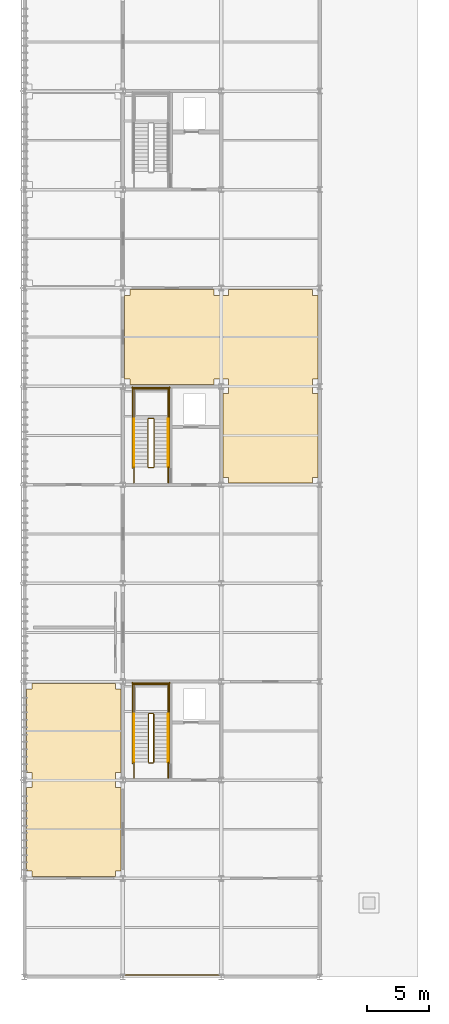
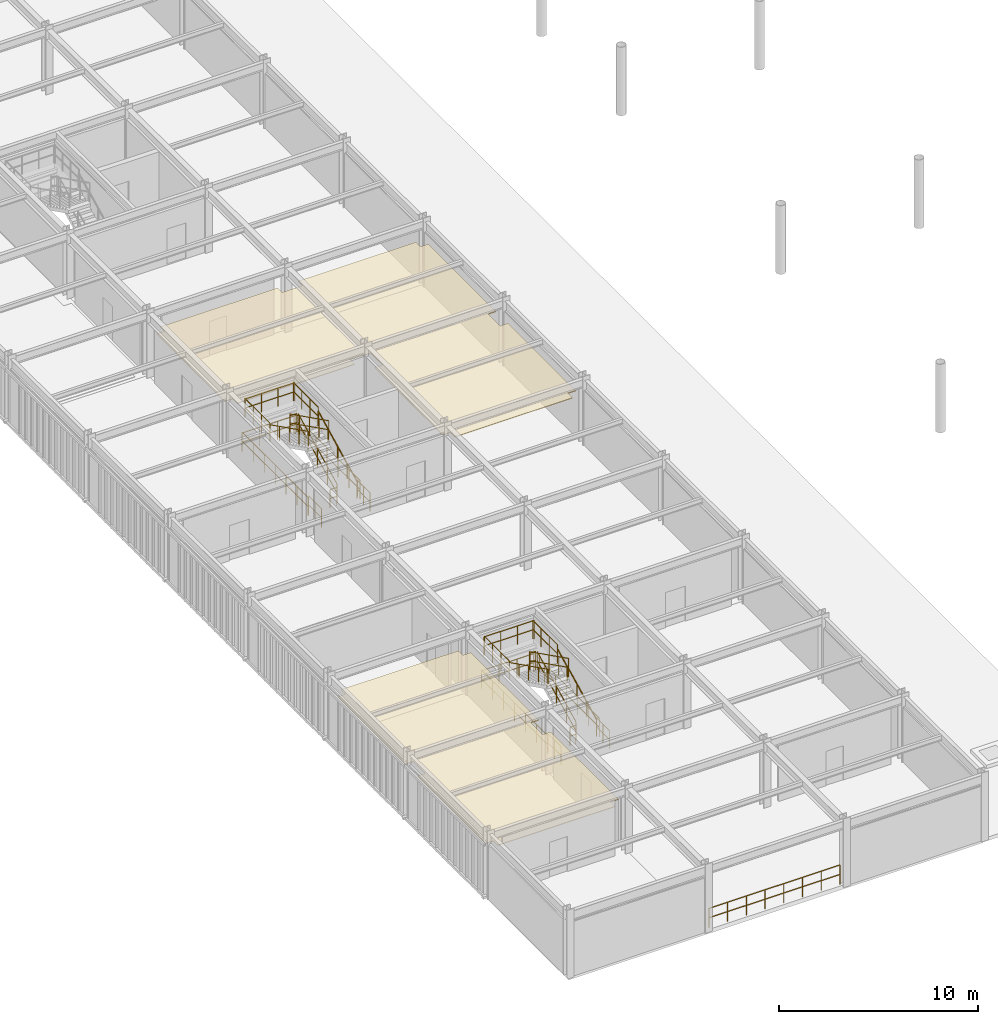
# One storey, part 50 of 54: 29 railings, 2 coverings.
"""IFC4 building model written with IfcOpenShell, lengths in metres."""

from ifc_helpers import new_model, si_unit, direction, frame, origin, origin_2d, place, context, subcontext, project, spatial, polyline, circle, outline, extrude, material, layer, layer_set, type_object, element, save


model = new_model("IFC4")

# Units and contexts
model_context = context("Model", 3, precision=1e-05, world=origin(), true_north=direction((0.0, 1.0)))
body_context = subcontext(model_context, "Body", "Model", "MODEL_VIEW")
ifc_project = project(units=[si_unit("LENGTHUNIT", "METRE"), si_unit("AREAUNIT", "SQUARE_METRE"), si_unit("VOLUMEUNIT", "CUBIC_METRE"), si_unit("PLANEANGLEUNIT", "RADIAN"), si_unit("MASSUNIT", "GRAM", prefix="KILO")], contexts=[model_context])

# Site, building, storey
site_placement = place(None, origin())
site = spatial("IfcSite", under=ifc_project, at=site_placement, CompositionType="ELEMENT")
building_placement = place(site_placement, origin())
building = spatial("IfcBuilding", under=site, at=building_placement, Name="Haebicheon Civic Stadium", CompositionType="ELEMENT")
storey_placement = place(building_placement, frame((0.0, 0.0, 22.800048828125)))
storey = spatial("IfcBuildingStorey", under=building, at=storey_placement, Name="L06", CompositionType="ELEMENT", Elevation=22.800048828125)

# Coverings
ifc_material_1 = material(Name="Perforated mineral-fibre acoustic board", Category="gypsum")
ifc_layer = layer(ifc_material_1, 0.0400390625, Name="Perforated mineral-fibre acoustic board")
ifc_layer_set = layer_set([ifc_layer], Name="Perforated mineral-fibre acoustic board")
covering_type = type_object("IfcCoveringType", Name="COV-CLG-AC", PredefinedType="CEILING", material=ifc_layer_set)
covering_1_placement = place(storey_placement, frame((0.0, 0.0, 2.81005859375)))
element("IfcCovering", 1, at=covering_1_placement, inside=storey, type_object=covering_type, material=ifc_layer_set, Name="L06 Stadium Operations Control Centre acoustic ceiling", PredefinedType="CEILING", context=body_context, shape_type="SweptSolid", body=[
    extrude(outline(polyline([(24.594970703125, 48.14501953125), (24.594970703125, 48.594970703125), (24.14501953125, 48.594970703125), (24.14501953125, 55.405029296875), (24.594970703125, 55.405029296875), (24.594970703125, 56.594970703125), (24.14501953125, 56.594970703125), (24.14501953125, 63.405029296875), (24.594970703125, 63.405029296875), (24.594970703125, 63.85498046875), (31.405029296875, 63.85498046875), (31.405029296875, 63.405029296875), (31.85498046875, 63.405029296875), (31.85498046875, 56.594970703125), (31.405029296875, 56.594970703125), (31.405029296875, 55.405029296875), (31.85498046875, 55.405029296875), (31.85498046875, 48.594970703125), (31.405029296875, 48.594970703125), (31.405029296875, 48.14501953125), (24.594970703125, 48.14501953125)])), origin(), (0.0, 0.0, 1.0), 0.039794921875),
])
covering_2_placement = place(storey_placement, frame((0.0, 0.0, 2.81005859375)))
element("IfcCovering", 2, at=covering_2_placement, inside=storey, type_object=covering_type, material=ifc_layer_set, Name="L06 Sky-Box Hospitality Suite acoustic ceiling", PredefinedType="CEILING", context=body_context, shape_type="SweptSolid", body=[
    extrude(outline(polyline([(40.594970703125, 80.14501953125), (40.594970703125, 80.594970703125), (40.14501953125, 80.594970703125), (40.14501953125, 87.405029296875), (40.594970703125, 87.405029296875), (40.594970703125, 88.594970703125), (39.405029296875, 88.594970703125), (39.405029296875, 88.14501953125), (32.594970703125, 88.14501953125), (32.594970703125, 88.594970703125), (32.14501953125, 88.594970703125), (32.14501953125, 95.405029296875), (32.594970703125, 95.405029296875), (32.594970703125, 95.85498046875), (39.405029296875, 95.85498046875), (39.405029296875, 95.405029296875), (40.594970703125, 95.405029296875), (40.594970703125, 95.85498046875), (47.405029296875, 95.85498046875), (47.405029296875, 95.405029296875), (47.85498046875, 95.405029296875), (47.85498046875, 88.594970703125), (47.405029296875, 88.594970703125), (47.405029296875, 87.405029296875), (47.85498046875, 87.405029296875), (47.85498046875, 80.594970703125), (47.405029296875, 80.594970703125), (47.405029296875, 80.14501953125), (40.594970703125, 80.14501953125)])), origin(), (0.0, 0.0, 1.0), 0.039794921875),
])

# Railings
ifc_material_2 = material(Name="Stainless steel 316 and laminated glass", Category="steel")
railing_type_1 = type_object("IfcRailingType", Name="RL-BAL-1200", PredefinedType="BALUSTRADE", material=ifc_material_2)
railing_1_placement = place(storey_placement, frame((32.2041015625, 40.139892578125, 0.0)))
element("IfcRailing", 3, at=railing_1_placement, inside=storey, type_object=railing_type_1, material=ifc_material_2, Name="L06 concourse bowl-edge balustrade 082", PredefinedType="BALUSTRADE", context=body_context, shape_type="SweptSolid", body=[
    extrude(circle(Radius=0.02392578125, at=origin_2d()), frame((0.0, 0.0, 1.17578125), z_axis=(1.0, 0.0, 0.0), x_axis=(0.0, 1.0, 0.0)), (0.0, 0.0, 1.0), 7.591796875),
    extrude(circle(Radius=0.02392578125, at=origin_2d()), frame((0.0, 0.0, 0.60009765625), z_axis=(1.0, 0.0, 0.0), x_axis=(0.0, 1.0, 0.0)), (0.0, 0.0, 1.0), 7.591796875),
    extrude(circle(Radius=0.02099609375, at=origin_2d()), origin(), (0.0, 0.0, 1.0), 1.15185546875),
    extrude(circle(Radius=0.02099609375, at=origin_2d()), frame((1.08447265625, 0.0, 0.0)), (0.0, 0.0, 1.0), 1.15185546875),
    extrude(circle(Radius=0.02099609375, at=origin_2d()), frame((2.169189453125, 0.0, 0.0)), (0.0, 0.0, 1.0), 1.15185546875),
    extrude(circle(Radius=0.02099609375, at=origin_2d()), frame((3.253662109375, 0.0, 0.0)), (0.0, 0.0, 1.0), 1.15185546875),
    extrude(circle(Radius=0.02099609375, at=origin_2d()), frame((4.338134765625, 0.0, 0.0)), (0.0, 0.0, 1.0), 1.15185546875),
    extrude(circle(Radius=0.02099609375, at=origin_2d()), frame((5.422607421875, 0.0, 0.0)), (0.0, 0.0, 1.0), 1.15185546875),
    extrude(circle(Radius=0.02099609375, at=origin_2d()), frame((6.50732421875, 0.0, 0.0)), (0.0, 0.0, 1.0), 1.15185546875),
    extrude(circle(Radius=0.02099609375, at=origin_2d()), frame((7.591796875, 0.0, 0.0)), (0.0, 0.0, 1.0), 1.15185546875),
])
ifc_material_3 = material(Name="Galvanised painted steel SM355", Category="steel")
railing_type_2 = type_object("IfcRailingType", Name="RL-GRD-1150", PredefinedType="GUARDRAIL", material=ifc_material_3)
railing_2_placement = place(storey_placement, frame((34.510009765625, 57.449951171875, 0.14990234375)))
element("IfcRailing", 4, at=railing_2_placement, inside=storey, type_object=railing_type_2, material=ifc_material_3, Name="L06 ST-02 stair guard 1", PredefinedType="GUARDRAIL", context=body_context, shape_type="SweptSolid", body=[
    extrude(circle(Radius=0.02392578125, at=origin_2d()), frame((0.0, 0.0, 1.1259765625), z_axis=(0.0, 0.894438388696, 0.447191199406), x_axis=(-1.0, 0.0, 0.0)), (0.0, 0.0, 1.0), 4.3603515625),
    extrude(circle(Radius=0.02392578125, at=origin_2d()), frame((0.0, 0.0, 0.574951171875), z_axis=(0.0, 0.894438388696, 0.447191199406), x_axis=(-1.0, 0.0, 0.0)), (0.0, 0.0, 1.0), 4.3603515625),
    extrude(circle(Radius=0.02099609375, at=origin_2d()), origin(), (0.0, 0.0, 1.0), 1.101806640625),
    extrude(circle(Radius=0.02099609375, at=origin_2d()), frame((0.0, 0.97509765625, 0.487548828125)), (0.0, 0.0, 1.0), 1.101806640625),
    extrude(circle(Radius=0.02099609375, at=origin_2d()), frame((0.0, 1.9501953125, 0.97509765625)), (0.0, 0.0, 1.0), 1.101806640625),
    extrude(circle(Radius=0.02099609375, at=origin_2d()), frame((0.0, 2.925048828125, 1.46240234375)), (0.0, 0.0, 1.0), 1.101806640625),
    extrude(circle(Radius=0.02099609375, at=origin_2d()), frame((0.0, 3.900146484375, 1.949951171875)), (0.0, 0.0, 1.0), 1.101806640625),
])
railing_3_placement = place(storey_placement, frame((34.4599609375, 61.39990234375, 2.099853515625)))
element("IfcRailing", 5, at=railing_3_placement, inside=storey, type_object=railing_type_2, material=ifc_material_3, Name="L06 ST-02 stair guard 2", PredefinedType="GUARDRAIL", context=body_context, shape_type="SweptSolid", body=[
    extrude(circle(Radius=0.02392578125, at=origin_2d()), frame((0.0, 0.0, 1.1259765625), z_axis=(-1.0, 0.0, 0.0), x_axis=(0.0, -1.0, 0.0)), (0.0, 0.0, 1.0), 0.33984375),
    extrude(circle(Radius=0.02392578125, at=origin_2d()), frame((0.0, 0.0, 0.574951171875), z_axis=(-1.0, 0.0, 0.0), x_axis=(0.0, -1.0, 0.0)), (0.0, 0.0, 1.0), 0.33984375),
    extrude(circle(Radius=0.02099609375, at=origin_2d()), origin(), (0.0, 0.0, 1.0), 1.101806640625),
    extrude(circle(Radius=0.02099609375, at=origin_2d()), frame((-0.33984375, 0.0, 0.0)), (0.0, 0.0, 1.0), 1.101806640625),
])
for number, where, name in (
    (6, (35.68994140625, 61.35009765625, 2.099853515625), "L06 ST-02 stair guard 3"),
    (7, (32.889892578125, 61.35009765625, 2.099853515625), "L06 ST-02 stair guard 4"),
):
    element("IfcRailing", number, at=place(storey_placement, frame(where)), inside=storey, type_object=railing_type_2, material=ifc_material_3, Name=name, PredefinedType="GUARDRAIL", context=body_context, shape_type="SweptSolid", body=[
        extrude(circle(Radius=0.02392578125, at=origin_2d()), frame((0.0, 0.0, 1.1259765625), z_axis=(0.0, 1.0, 0.0), x_axis=(-1.0, 0.0, 0.0)), (0.0, 0.0, 1.0), 2.489990234375),
        extrude(circle(Radius=0.02392578125, at=origin_2d()), frame((0.0, 0.0, 0.574951171875), z_axis=(0.0, 1.0, 0.0), x_axis=(-1.0, 0.0, 0.0)), (0.0, 0.0, 1.0), 2.489990234375),
        extrude(circle(Radius=0.02099609375, at=origin_2d()), origin(), (0.0, 0.0, 1.0), 1.101806640625),
        extrude(circle(Radius=0.02099609375, at=origin_2d()), frame((0.0, 0.830078125, 0.0)), (0.0, 0.0, 1.0), 1.101806640625),
        extrude(circle(Radius=0.02099609375, at=origin_2d()), frame((0.0, 1.659912109375, 0.0)), (0.0, 0.0, 1.0), 1.101806640625),
        extrude(circle(Radius=0.02099609375, at=origin_2d()), frame((0.0, 2.489990234375, 0.0)), (0.0, 0.0, 1.0), 1.101806640625),
    ])
railing_4_placement = place(storey_placement, frame((35.739990234375, 63.7900390625, 2.099853515625)))
element("IfcRailing", 8, at=railing_4_placement, inside=storey, type_object=railing_type_2, material=ifc_material_3, Name="L06 ST-02 stair guard 5", PredefinedType="GUARDRAIL", context=body_context, shape_type="SweptSolid", body=[
    extrude(circle(Radius=0.02392578125, at=origin_2d()), frame((0.0, 0.0, 1.1259765625), z_axis=(-1.0, 0.0, 0.0), x_axis=(0.0, -1.0, 0.0)), (0.0, 0.0, 1.0), 2.89990234375),
    extrude(circle(Radius=0.02392578125, at=origin_2d()), frame((0.0, 0.0, 0.574951171875), z_axis=(-1.0, 0.0, 0.0), x_axis=(0.0, -1.0, 0.0)), (0.0, 0.0, 1.0), 2.89990234375),
    extrude(circle(Radius=0.02099609375, at=origin_2d()), origin(), (0.0, 0.0, 1.0), 1.101806640625),
    extrude(circle(Radius=0.02099609375, at=origin_2d()), frame((-0.966552734375, 0.0, 0.0)), (0.0, 0.0, 1.0), 1.101806640625),
    extrude(circle(Radius=0.02099609375, at=origin_2d()), frame((-1.933349609375, 0.0, 0.0)), (0.0, 0.0, 1.0), 1.101806640625),
    extrude(circle(Radius=0.02099609375, at=origin_2d()), frame((-2.89990234375, 0.0, 0.0)), (0.0, 0.0, 1.0), 1.101806640625),
])
railing_5_placement = place(storey_placement, frame((34.070068359375, 61.35009765625, 2.25)))
element("IfcRailing", 9, at=railing_5_placement, inside=storey, type_object=railing_type_2, material=ifc_material_3, Name="L06 ST-02 stair guard 6", PredefinedType="GUARDRAIL", context=body_context, shape_type="SweptSolid", body=[
    extrude(circle(Radius=0.02392578125, at=origin_2d()), frame((0.0, 0.0, 1.1259765625), z_axis=(0.0, -0.894438388696, 0.447191199406), x_axis=(1.0, 0.0, 0.0)), (0.0, 0.0, 1.0), 4.3603515625),
    extrude(circle(Radius=0.02392578125, at=origin_2d()), frame((0.0, 0.0, 0.574951171875), z_axis=(0.0, -0.894438388696, 0.447191199406), x_axis=(1.0, 0.0, 0.0)), (0.0, 0.0, 1.0), 4.3603515625),
    extrude(circle(Radius=0.02099609375, at=origin_2d()), origin(), (0.0, 0.0, 1.0), 1.101806640625),
    extrude(circle(Radius=0.02099609375, at=origin_2d()), frame((0.0, -0.97509765625, 0.487548828125)), (0.0, 0.0, 1.0), 1.101806640625),
    extrude(circle(Radius=0.02099609375, at=origin_2d()), frame((0.0, -1.9501953125, 0.97509765625)), (0.0, 0.0, 1.0), 1.101806640625),
    extrude(circle(Radius=0.02099609375, at=origin_2d()), frame((0.0, -2.925048828125, 1.46240234375)), (0.0, 0.0, 1.0), 1.101806640625),
    extrude(circle(Radius=0.02099609375, at=origin_2d()), frame((0.0, -3.900146484375, 1.949951171875)), (0.0, 0.0, 1.0), 1.101806640625),
])
railing_6_placement = place(storey_placement, frame((34.4599609375, 57.39990234375, 0.0)))
element("IfcRailing", 10, at=railing_6_placement, inside=storey, type_object=railing_type_2, material=ifc_material_3, Name="L06 ST-02 stair guard 7", PredefinedType="GUARDRAIL", context=body_context, shape_type="SweptSolid", body=[
    extrude(circle(Radius=0.02392578125, at=origin_2d()), frame((0.0, 0.0, 1.1259765625), z_axis=(-1.0, 0.0, 0.0), x_axis=(0.0, -1.0, 0.0)), (0.0, 0.0, 1.0), 0.33984375),
    extrude(circle(Radius=0.02392578125, at=origin_2d()), frame((0.0, 0.0, 0.574951171875), z_axis=(-1.0, 0.0, 0.0), x_axis=(0.0, -1.0, 0.0)), (0.0, 0.0, 1.0), 0.33984375),
    extrude(circle(Radius=0.02099609375, at=origin_2d()), origin(), (0.0, 0.0, 1.0), 1.101806640625),
    extrude(circle(Radius=0.02099609375, at=origin_2d()), frame((-0.33984375, 0.0, 0.0)), (0.0, 0.0, 1.0), 1.101806640625),
])
for number, where, name in (
    (11, (35.68994140625, 56.159912109375, 0.0), "L06 ST-02 stair guard 8"),
    (12, (32.889892578125, 56.159912109375, 0.0), "L06 ST-02 stair guard 9"),
):
    element("IfcRailing", number, at=place(storey_placement, frame(where)), inside=storey, type_object=railing_type_2, material=ifc_material_3, Name=name, PredefinedType="GUARDRAIL", context=body_context, shape_type="SweptSolid", body=[
        extrude(circle(Radius=0.02392578125, at=origin_2d()), frame((0.0, 0.0, 1.1259765625), z_axis=(0.0, 1.0, 0.0), x_axis=(-1.0, 0.0, 0.0)), (0.0, 0.0, 1.0), 1.2900390625),
        extrude(circle(Radius=0.02392578125, at=origin_2d()), frame((0.0, 0.0, 0.574951171875), z_axis=(0.0, 1.0, 0.0), x_axis=(-1.0, 0.0, 0.0)), (0.0, 0.0, 1.0), 1.2900390625),
        extrude(circle(Radius=0.02099609375, at=origin_2d()), origin(), (0.0, 0.0, 1.0), 1.101806640625),
        extrude(circle(Radius=0.02099609375, at=origin_2d()), frame((0.0, 0.64501953125, 0.0)), (0.0, 0.0, 1.0), 1.101806640625),
        extrude(circle(Radius=0.02099609375, at=origin_2d()), frame((0.0, 1.2900390625, 0.0)), (0.0, 0.0, 1.0), 1.101806640625),
    ])
for number, where, name in (
    (13, (35.7900390625, 57.35009765625, 0.0), "L06 ST-02 stair guard 10"),
    (14, (32.7900390625, 57.35009765625, 0.0), "L06 ST-02 stair guard 11"),
):
    element("IfcRailing", number, at=place(storey_placement, frame(where)), inside=storey, type_object=railing_type_2, material=ifc_material_3, Name=name, PredefinedType="GUARDRAIL", context=body_context, shape_type="SweptSolid", body=[
        extrude(circle(Radius=0.02392578125, at=origin_2d()), frame((0.0, 0.0, 1.1259765625), z_axis=(0.0, 1.0, 0.0), x_axis=(-1.0, 0.0, 0.0)), (0.0, 0.0, 1.0), 6.58984375),
        extrude(circle(Radius=0.02392578125, at=origin_2d()), frame((0.0, 0.0, 0.574951171875), z_axis=(0.0, 1.0, 0.0), x_axis=(-1.0, 0.0, 0.0)), (0.0, 0.0, 1.0), 6.58984375),
        extrude(circle(Radius=0.02099609375, at=origin_2d()), origin(), (0.0, 0.0, 1.0), 1.101806640625),
        extrude(circle(Radius=0.02099609375, at=origin_2d()), frame((0.0, 1.098388671875, 0.0)), (0.0, 0.0, 1.0), 1.101806640625),
        extrude(circle(Radius=0.02099609375, at=origin_2d()), frame((0.0, 2.196533203125, 0.0)), (0.0, 0.0, 1.0), 1.101806640625),
        extrude(circle(Radius=0.02099609375, at=origin_2d()), frame((0.0, 3.294921875, 0.0)), (0.0, 0.0, 1.0), 1.101806640625),
        extrude(circle(Radius=0.02099609375, at=origin_2d()), frame((0.0, 4.393310546875, 0.0)), (0.0, 0.0, 1.0), 1.101806640625),
        extrude(circle(Radius=0.02099609375, at=origin_2d()), frame((0.0, 5.491455078125, 0.0)), (0.0, 0.0, 1.0), 1.101806640625),
        extrude(circle(Radius=0.02099609375, at=origin_2d()), frame((0.0, 6.58984375, 0.0)), (0.0, 0.0, 1.0), 1.101806640625),
    ])
railing_7_placement = place(storey_placement, frame((35.840087890625, 63.889892578125, 0.0)))
element("IfcRailing", 15, at=railing_7_placement, inside=storey, type_object=railing_type_2, material=ifc_material_3, Name="L06 ST-02 stair guard 12", PredefinedType="GUARDRAIL", context=body_context, shape_type="SweptSolid", body=[
    extrude(circle(Radius=0.02392578125, at=origin_2d()), frame((0.0, 0.0, 1.1259765625), z_axis=(-1.0, 0.0, 0.0), x_axis=(0.0, -1.0, 0.0)), (0.0, 0.0, 1.0), 3.10009765625),
    extrude(circle(Radius=0.02392578125, at=origin_2d()), frame((0.0, 0.0, 0.574951171875), z_axis=(-1.0, 0.0, 0.0), x_axis=(0.0, -1.0, 0.0)), (0.0, 0.0, 1.0), 3.10009765625),
    extrude(circle(Radius=0.02099609375, at=origin_2d()), origin(), (0.0, 0.0, 1.0), 1.101806640625),
    extrude(circle(Radius=0.02099609375, at=origin_2d()), frame((-1.033447265625, 0.0, 0.0)), (0.0, 0.0, 1.0), 1.101806640625),
    extrude(circle(Radius=0.02099609375, at=origin_2d()), frame((-2.066650390625, 0.0, 0.0)), (0.0, 0.0, 1.0), 1.101806640625),
    extrude(circle(Radius=0.02099609375, at=origin_2d()), frame((-3.10009765625, 0.0, 0.0)), (0.0, 0.0, 1.0), 1.101806640625),
])
railing_8_placement = place(storey_placement, frame((34.530029296875, 81.449951171875, 0.14990234375)))
element("IfcRailing", 16, at=railing_8_placement, inside=storey, type_object=railing_type_2, material=ifc_material_3, Name="L06 ST-03 stair guard 1", PredefinedType="GUARDRAIL", context=body_context, shape_type="SweptSolid", body=[
    extrude(circle(Radius=0.02392578125, at=origin_2d()), frame((0.0, 0.0, 1.1259765625), z_axis=(0.0, 0.894438388696, 0.447191199406), x_axis=(-1.0, 0.0, 0.0)), (0.0, 0.0, 1.0), 4.3603515625),
    extrude(circle(Radius=0.02392578125, at=origin_2d()), frame((0.0, 0.0, 0.574951171875), z_axis=(0.0, 0.894438388696, 0.447191199406), x_axis=(-1.0, 0.0, 0.0)), (0.0, 0.0, 1.0), 4.3603515625),
    extrude(circle(Radius=0.02099609375, at=origin_2d()), origin(), (0.0, 0.0, 1.0), 1.101806640625),
    extrude(circle(Radius=0.02099609375, at=origin_2d()), frame((0.0, 0.97509765625, 0.487548828125)), (0.0, 0.0, 1.0), 1.101806640625),
    extrude(circle(Radius=0.02099609375, at=origin_2d()), frame((0.0, 1.9501953125, 0.97509765625)), (0.0, 0.0, 1.0), 1.101806640625),
    extrude(circle(Radius=0.02099609375, at=origin_2d()), frame((0.0, 2.925048828125, 1.46240234375)), (0.0, 0.0, 1.0), 1.101806640625),
    extrude(circle(Radius=0.02099609375, at=origin_2d()), frame((0.0, 3.900146484375, 1.949951171875)), (0.0, 0.0, 1.0), 1.101806640625),
])
railing_9_placement = place(storey_placement, frame((34.47998046875, 85.39990234375, 2.099853515625)))
element("IfcRailing", 17, at=railing_9_placement, inside=storey, type_object=railing_type_2, material=ifc_material_3, Name="L06 ST-03 stair guard 2", PredefinedType="GUARDRAIL", context=body_context, shape_type="SweptSolid", body=[
    extrude(circle(Radius=0.02392578125, at=origin_2d()), frame((0.0, 0.0, 1.1259765625), z_axis=(-1.0, 0.0, 0.0), x_axis=(0.0, -1.0, 0.0)), (0.0, 0.0, 1.0), 0.3798828125),
    extrude(circle(Radius=0.02392578125, at=origin_2d()), frame((0.0, 0.0, 0.574951171875), z_axis=(-1.0, 0.0, 0.0), x_axis=(0.0, -1.0, 0.0)), (0.0, 0.0, 1.0), 0.3798828125),
    extrude(circle(Radius=0.02099609375, at=origin_2d()), origin(), (0.0, 0.0, 1.0), 1.101806640625),
    extrude(circle(Radius=0.02099609375, at=origin_2d()), frame((-0.3798828125, 0.0, 0.0)), (0.0, 0.0, 1.0), 1.101806640625),
])
for number, where, name in (
    (18, (35.68994140625, 85.35009765625, 2.099853515625), "L06 ST-03 stair guard 3"),
    (19, (32.889892578125, 85.35009765625, 2.099853515625), "L06 ST-03 stair guard 4"),
):
    element("IfcRailing", number, at=place(storey_placement, frame(where)), inside=storey, type_object=railing_type_2, material=ifc_material_3, Name=name, PredefinedType="GUARDRAIL", context=body_context, shape_type="SweptSolid", body=[
        extrude(circle(Radius=0.02392578125, at=origin_2d()), frame((0.0, 0.0, 1.1259765625), z_axis=(0.0, 1.0, 0.0), x_axis=(-1.0, 0.0, 0.0)), (0.0, 0.0, 1.0), 2.489990234375),
        extrude(circle(Radius=0.02392578125, at=origin_2d()), frame((0.0, 0.0, 0.574951171875), z_axis=(0.0, 1.0, 0.0), x_axis=(-1.0, 0.0, 0.0)), (0.0, 0.0, 1.0), 2.489990234375),
        extrude(circle(Radius=0.02099609375, at=origin_2d()), origin(), (0.0, 0.0, 1.0), 1.101806640625),
        extrude(circle(Radius=0.02099609375, at=origin_2d()), frame((0.0, 0.830078125, 0.0)), (0.0, 0.0, 1.0), 1.101806640625),
        extrude(circle(Radius=0.02099609375, at=origin_2d()), frame((0.0, 1.659912109375, 0.0)), (0.0, 0.0, 1.0), 1.101806640625),
        extrude(circle(Radius=0.02099609375, at=origin_2d()), frame((0.0, 2.489990234375, 0.0)), (0.0, 0.0, 1.0), 1.101806640625),
    ])
railing_10_placement = place(storey_placement, frame((35.739990234375, 87.7900390625, 2.099853515625)))
element("IfcRailing", 20, at=railing_10_placement, inside=storey, type_object=railing_type_2, material=ifc_material_3, Name="L06 ST-03 stair guard 5", PredefinedType="GUARDRAIL", context=body_context, shape_type="SweptSolid", body=[
    extrude(circle(Radius=0.02392578125, at=origin_2d()), frame((0.0, 0.0, 1.1259765625), z_axis=(-1.0, 0.0, 0.0), x_axis=(0.0, -1.0, 0.0)), (0.0, 0.0, 1.0), 2.89990234375),
    extrude(circle(Radius=0.02392578125, at=origin_2d()), frame((0.0, 0.0, 0.574951171875), z_axis=(-1.0, 0.0, 0.0), x_axis=(0.0, -1.0, 0.0)), (0.0, 0.0, 1.0), 2.89990234375),
    extrude(circle(Radius=0.02099609375, at=origin_2d()), origin(), (0.0, 0.0, 1.0), 1.101806640625),
    extrude(circle(Radius=0.02099609375, at=origin_2d()), frame((-0.966552734375, 0.0, 0.0)), (0.0, 0.0, 1.0), 1.101806640625),
    extrude(circle(Radius=0.02099609375, at=origin_2d()), frame((-1.933349609375, 0.0, 0.0)), (0.0, 0.0, 1.0), 1.101806640625),
    extrude(circle(Radius=0.02099609375, at=origin_2d()), frame((-2.89990234375, 0.0, 0.0)), (0.0, 0.0, 1.0), 1.101806640625),
])
railing_11_placement = place(storey_placement, frame((34.050048828125, 85.35009765625, 2.25)))
element("IfcRailing", 21, at=railing_11_placement, inside=storey, type_object=railing_type_2, material=ifc_material_3, Name="L06 ST-03 stair guard 6", PredefinedType="GUARDRAIL", context=body_context, shape_type="SweptSolid", body=[
    extrude(circle(Radius=0.02392578125, at=origin_2d()), frame((0.0, 0.0, 1.1259765625), z_axis=(0.0, -0.894438388696, 0.447191199406), x_axis=(1.0, 0.0, 0.0)), (0.0, 0.0, 1.0), 4.3603515625),
    extrude(circle(Radius=0.02392578125, at=origin_2d()), frame((0.0, 0.0, 0.574951171875), z_axis=(0.0, -0.894438388696, 0.447191199406), x_axis=(1.0, 0.0, 0.0)), (0.0, 0.0, 1.0), 4.3603515625),
    extrude(circle(Radius=0.02099609375, at=origin_2d()), origin(), (0.0, 0.0, 1.0), 1.101806640625),
    extrude(circle(Radius=0.02099609375, at=origin_2d()), frame((0.0, -0.97509765625, 0.487548828125)), (0.0, 0.0, 1.0), 1.101806640625),
    extrude(circle(Radius=0.02099609375, at=origin_2d()), frame((0.0, -1.9501953125, 0.97509765625)), (0.0, 0.0, 1.0), 1.101806640625),
    extrude(circle(Radius=0.02099609375, at=origin_2d()), frame((0.0, -2.925048828125, 1.46240234375)), (0.0, 0.0, 1.0), 1.101806640625),
    extrude(circle(Radius=0.02099609375, at=origin_2d()), frame((0.0, -3.900146484375, 1.949951171875)), (0.0, 0.0, 1.0), 1.101806640625),
])
railing_12_placement = place(storey_placement, frame((34.47998046875, 81.39990234375, 0.0)))
element("IfcRailing", 22, at=railing_12_placement, inside=storey, type_object=railing_type_2, material=ifc_material_3, Name="L06 ST-03 stair guard 7", PredefinedType="GUARDRAIL", context=body_context, shape_type="SweptSolid", body=[
    extrude(circle(Radius=0.02392578125, at=origin_2d()), frame((0.0, 0.0, 1.1259765625), z_axis=(-1.0, 0.0, 0.0), x_axis=(0.0, -1.0, 0.0)), (0.0, 0.0, 1.0), 0.3798828125),
    extrude(circle(Radius=0.02392578125, at=origin_2d()), frame((0.0, 0.0, 0.574951171875), z_axis=(-1.0, 0.0, 0.0), x_axis=(0.0, -1.0, 0.0)), (0.0, 0.0, 1.0), 0.3798828125),
    extrude(circle(Radius=0.02099609375, at=origin_2d()), origin(), (0.0, 0.0, 1.0), 1.101806640625),
    extrude(circle(Radius=0.02099609375, at=origin_2d()), frame((-0.3798828125, 0.0, 0.0)), (0.0, 0.0, 1.0), 1.101806640625),
])
for number, where, name in (
    (23, (35.68994140625, 80.159912109375, 0.0), "L06 ST-03 stair guard 8"),
    (24, (32.889892578125, 80.159912109375, 0.0), "L06 ST-03 stair guard 9"),
):
    element("IfcRailing", number, at=place(storey_placement, frame(where)), inside=storey, type_object=railing_type_2, material=ifc_material_3, Name=name, PredefinedType="GUARDRAIL", context=body_context, shape_type="SweptSolid", body=[
        extrude(circle(Radius=0.02392578125, at=origin_2d()), frame((0.0, 0.0, 1.1259765625), z_axis=(0.0, 1.0, 0.0), x_axis=(-1.0, 0.0, 0.0)), (0.0, 0.0, 1.0), 1.2900390625),
        extrude(circle(Radius=0.02392578125, at=origin_2d()), frame((0.0, 0.0, 0.574951171875), z_axis=(0.0, 1.0, 0.0), x_axis=(-1.0, 0.0, 0.0)), (0.0, 0.0, 1.0), 1.2900390625),
        extrude(circle(Radius=0.02099609375, at=origin_2d()), origin(), (0.0, 0.0, 1.0), 1.101806640625),
        extrude(circle(Radius=0.02099609375, at=origin_2d()), frame((0.0, 0.64501953125, 0.0)), (0.0, 0.0, 1.0), 1.101806640625),
        extrude(circle(Radius=0.02099609375, at=origin_2d()), frame((0.0, 1.2900390625, 0.0)), (0.0, 0.0, 1.0), 1.101806640625),
    ])
for number, where, name in (
    (25, (35.7900390625, 81.35009765625, 0.0), "L06 ST-03 stair guard 10"),
    (26, (32.7900390625, 81.35009765625, 0.0), "L06 ST-03 stair guard 11"),
):
    element("IfcRailing", number, at=place(storey_placement, frame(where)), inside=storey, type_object=railing_type_2, material=ifc_material_3, Name=name, PredefinedType="GUARDRAIL", context=body_context, shape_type="SweptSolid", body=[
        extrude(circle(Radius=0.02392578125, at=origin_2d()), frame((0.0, 0.0, 1.1259765625), z_axis=(0.0, 1.0, 0.0), x_axis=(-1.0, 0.0, 0.0)), (0.0, 0.0, 1.0), 6.58984375),
        extrude(circle(Radius=0.02392578125, at=origin_2d()), frame((0.0, 0.0, 0.574951171875), z_axis=(0.0, 1.0, 0.0), x_axis=(-1.0, 0.0, 0.0)), (0.0, 0.0, 1.0), 6.58984375),
        extrude(circle(Radius=0.02099609375, at=origin_2d()), origin(), (0.0, 0.0, 1.0), 1.101806640625),
        extrude(circle(Radius=0.02099609375, at=origin_2d()), frame((0.0, 1.098388671875, 0.0)), (0.0, 0.0, 1.0), 1.101806640625),
        extrude(circle(Radius=0.02099609375, at=origin_2d()), frame((0.0, 2.196533203125, 0.0)), (0.0, 0.0, 1.0), 1.101806640625),
        extrude(circle(Radius=0.02099609375, at=origin_2d()), frame((0.0, 3.294921875, 0.0)), (0.0, 0.0, 1.0), 1.101806640625),
        extrude(circle(Radius=0.02099609375, at=origin_2d()), frame((0.0, 4.393310546875, 0.0)), (0.0, 0.0, 1.0), 1.101806640625),
        extrude(circle(Radius=0.02099609375, at=origin_2d()), frame((0.0, 5.491455078125, 0.0)), (0.0, 0.0, 1.0), 1.101806640625),
        extrude(circle(Radius=0.02099609375, at=origin_2d()), frame((0.0, 6.58984375, 0.0)), (0.0, 0.0, 1.0), 1.101806640625),
    ])
railing_13_placement = place(storey_placement, frame((35.840087890625, 87.889892578125, 0.0)))
element("IfcRailing", 27, at=railing_13_placement, inside=storey, type_object=railing_type_2, material=ifc_material_3, Name="L06 ST-03 stair guard 12", PredefinedType="GUARDRAIL", context=body_context, shape_type="SweptSolid", body=[
    extrude(circle(Radius=0.02392578125, at=origin_2d()), frame((0.0, 0.0, 1.1259765625), z_axis=(-1.0, 0.0, 0.0), x_axis=(0.0, -1.0, 0.0)), (0.0, 0.0, 1.0), 3.10009765625),
    extrude(circle(Radius=0.02392578125, at=origin_2d()), frame((0.0, 0.0, 0.574951171875), z_axis=(-1.0, 0.0, 0.0), x_axis=(0.0, -1.0, 0.0)), (0.0, 0.0, 1.0), 3.10009765625),
    extrude(circle(Radius=0.02099609375, at=origin_2d()), origin(), (0.0, 0.0, 1.0), 1.101806640625),
    extrude(circle(Radius=0.02099609375, at=origin_2d()), frame((-1.033447265625, 0.0, 0.0)), (0.0, 0.0, 1.0), 1.101806640625),
    extrude(circle(Radius=0.02099609375, at=origin_2d()), frame((-2.066650390625, 0.0, 0.0)), (0.0, 0.0, 1.0), 1.101806640625),
    extrude(circle(Radius=0.02099609375, at=origin_2d()), frame((-3.10009765625, 0.0, 0.0)), (0.0, 0.0, 1.0), 1.101806640625),
])
ifc_material_4 = material(Name="Stainless steel 316", Category="steel")
railing_type_3 = type_object("IfcRailingType", Name="RL-HND-900", PredefinedType="HANDRAIL", material=ifc_material_4)
railing_14_placement = place(storey_placement, frame((35.68994140625, 57.449951171875, 0.14990234375)))
element("IfcRailing", 28, at=railing_14_placement, inside=storey, type_object=railing_type_3, material=ifc_material_4, Name="L06 ST-02 stair handrail 1", PredefinedType="HANDRAIL", context=body_context, shape_type="SweptSolid", body=[
    extrude(circle(Radius=0.02392578125, at=origin_2d()), frame((0.0, 0.0, 0.8759765625), z_axis=(0.0, 0.894438388696, 0.447191199406), x_axis=(-1.0, 0.0, 0.0)), (0.0, 0.0, 1.0), 4.3603515625),
    extrude(circle(Radius=0.02099609375, at=origin_2d()), origin(), (0.0, 0.0, 1.0), 0.851806640625),
    extrude(circle(Radius=0.02099609375, at=origin_2d()), frame((0.0, 0.97509765625, 0.487548828125)), (0.0, 0.0, 1.0), 0.851806640625),
    extrude(circle(Radius=0.02099609375, at=origin_2d()), frame((0.0, 1.9501953125, 0.97509765625)), (0.0, 0.0, 1.0), 0.851806640625),
    extrude(circle(Radius=0.02099609375, at=origin_2d()), frame((0.0, 2.925048828125, 1.46240234375)), (0.0, 0.0, 1.0), 0.851806640625),
    extrude(circle(Radius=0.02099609375, at=origin_2d()), frame((0.0, 3.900146484375, 1.949951171875)), (0.0, 0.0, 1.0), 0.851806640625),
])
railing_15_placement = place(storey_placement, frame((32.889892578125, 61.35009765625, 2.25)))
element("IfcRailing", 29, at=railing_15_placement, inside=storey, type_object=railing_type_3, material=ifc_material_4, Name="L06 ST-02 stair handrail 2", PredefinedType="HANDRAIL", context=body_context, shape_type="SweptSolid", body=[
    extrude(circle(Radius=0.02392578125, at=origin_2d()), frame((0.0, 0.0, 0.8759765625), z_axis=(0.0, -0.894438388696, 0.447191199406), x_axis=(1.0, 0.0, 0.0)), (0.0, 0.0, 1.0), 4.3603515625),
    extrude(circle(Radius=0.02099609375, at=origin_2d()), origin(), (0.0, 0.0, 1.0), 0.851806640625),
    extrude(circle(Radius=0.02099609375, at=origin_2d()), frame((0.0, -0.97509765625, 0.487548828125)), (0.0, 0.0, 1.0), 0.851806640625),
    extrude(circle(Radius=0.02099609375, at=origin_2d()), frame((0.0, -1.9501953125, 0.97509765625)), (0.0, 0.0, 1.0), 0.851806640625),
    extrude(circle(Radius=0.02099609375, at=origin_2d()), frame((0.0, -2.925048828125, 1.46240234375)), (0.0, 0.0, 1.0), 0.851806640625),
    extrude(circle(Radius=0.02099609375, at=origin_2d()), frame((0.0, -3.900146484375, 1.949951171875)), (0.0, 0.0, 1.0), 0.851806640625),
])
railing_16_placement = place(storey_placement, frame((35.68994140625, 81.449951171875, 0.14990234375)))
element("IfcRailing", 30, at=railing_16_placement, inside=storey, type_object=railing_type_3, material=ifc_material_4, Name="L06 ST-03 stair handrail 1", PredefinedType="HANDRAIL", context=body_context, shape_type="SweptSolid", body=[
    extrude(circle(Radius=0.02392578125, at=origin_2d()), frame((0.0, 0.0, 0.8759765625), z_axis=(0.0, 0.894438388696, 0.447191199406), x_axis=(-1.0, 0.0, 0.0)), (0.0, 0.0, 1.0), 4.3603515625),
    extrude(circle(Radius=0.02099609375, at=origin_2d()), origin(), (0.0, 0.0, 1.0), 0.851806640625),
    extrude(circle(Radius=0.02099609375, at=origin_2d()), frame((0.0, 0.97509765625, 0.487548828125)), (0.0, 0.0, 1.0), 0.851806640625),
    extrude(circle(Radius=0.02099609375, at=origin_2d()), frame((0.0, 1.9501953125, 0.97509765625)), (0.0, 0.0, 1.0), 0.851806640625),
    extrude(circle(Radius=0.02099609375, at=origin_2d()), frame((0.0, 2.925048828125, 1.46240234375)), (0.0, 0.0, 1.0), 0.851806640625),
    extrude(circle(Radius=0.02099609375, at=origin_2d()), frame((0.0, 3.900146484375, 1.949951171875)), (0.0, 0.0, 1.0), 0.851806640625),
])
railing_17_placement = place(storey_placement, frame((32.889892578125, 85.35009765625, 2.25)))
element("IfcRailing", 31, at=railing_17_placement, inside=storey, type_object=railing_type_3, material=ifc_material_4, Name="L06 ST-03 stair handrail 2", PredefinedType="HANDRAIL", context=body_context, shape_type="SweptSolid", body=[
    extrude(circle(Radius=0.02392578125, at=origin_2d()), frame((0.0, 0.0, 0.8759765625), z_axis=(0.0, -0.894438388696, 0.447191199406), x_axis=(1.0, 0.0, 0.0)), (0.0, 0.0, 1.0), 4.3603515625),
    extrude(circle(Radius=0.02099609375, at=origin_2d()), origin(), (0.0, 0.0, 1.0), 0.851806640625),
    extrude(circle(Radius=0.02099609375, at=origin_2d()), frame((0.0, -0.97509765625, 0.487548828125)), (0.0, 0.0, 1.0), 0.851806640625),
    extrude(circle(Radius=0.02099609375, at=origin_2d()), frame((0.0, -1.9501953125, 0.97509765625)), (0.0, 0.0, 1.0), 0.851806640625),
    extrude(circle(Radius=0.02099609375, at=origin_2d()), frame((0.0, -2.925048828125, 1.46240234375)), (0.0, 0.0, 1.0), 0.851806640625),
    extrude(circle(Radius=0.02099609375, at=origin_2d()), frame((0.0, -3.900146484375, 1.949951171875)), (0.0, 0.0, 1.0), 0.851806640625),
])

save(model, "model.ifc")
